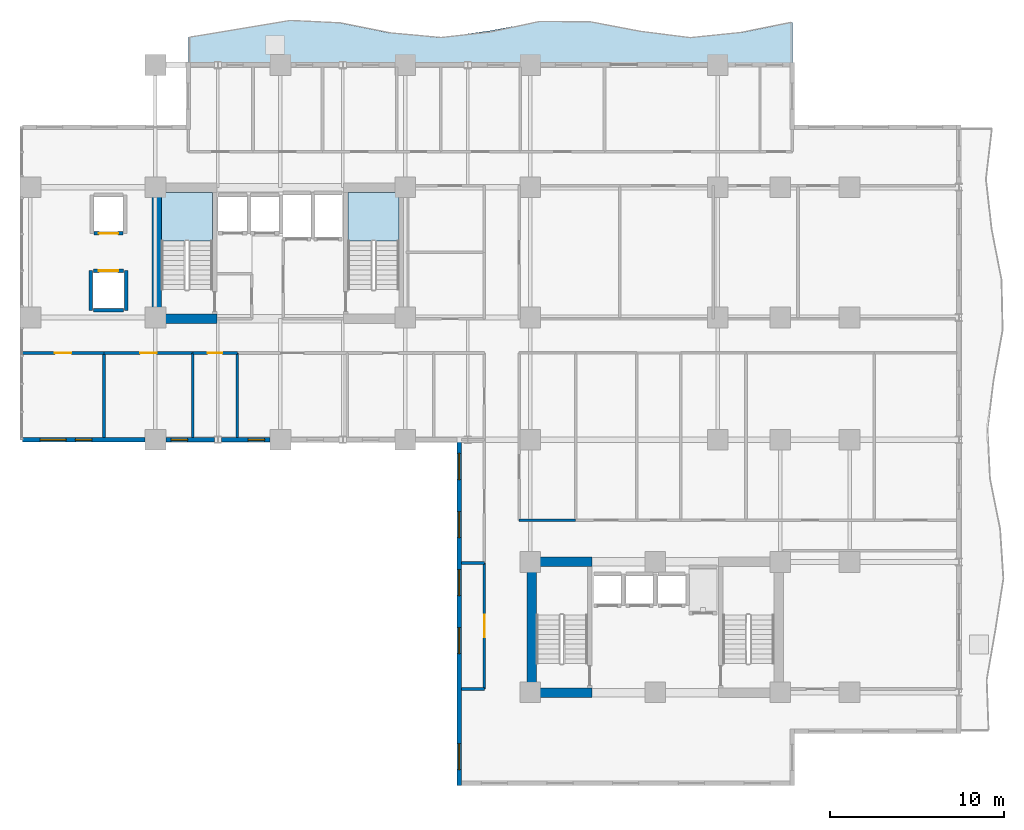
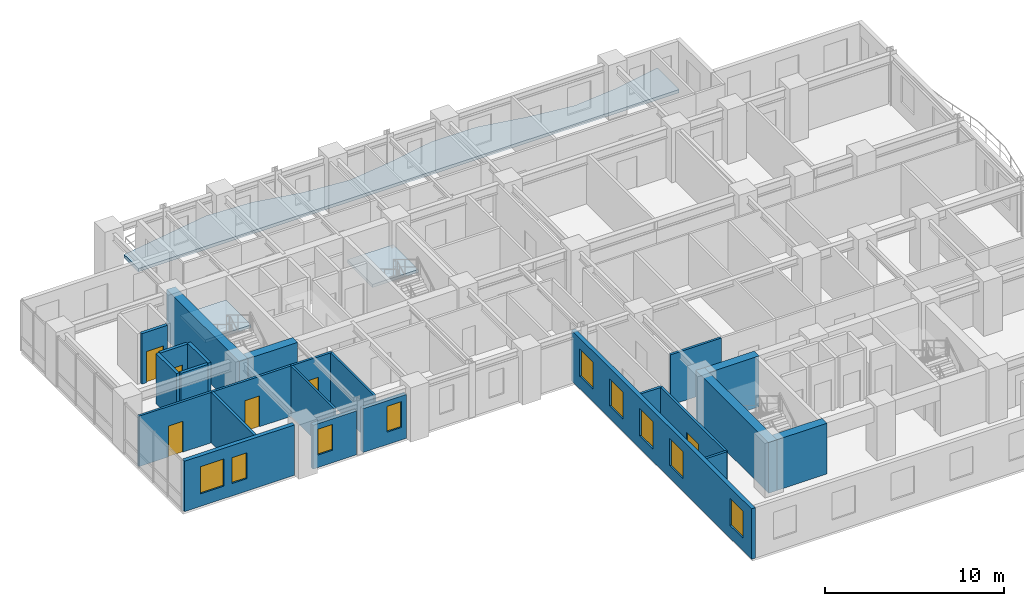
# One storey, part 8 of 18: 24 walls, 9 windows, 6 doors, 3 slabs, 15 openings, 2 elements without a shape of their own.
"""IFC4 building model written with IfcOpenShell, lengths in metres."""

from ifc_helpers import new_model, si_unit, direction, frame, frame_2d, origin, place, context, subcontext, project, spatial, polyline, rectangle, outline, extrude, material, layer, layer_set, type_object, element, fill, aggregate, save


model = new_model("IFC4")

# Units and contexts
model_context = context("Model", 3, precision=1e-05, world=origin(), true_north=direction((0.0, 1.0)))
body_context = subcontext(model_context, "Body", "Model", "MODEL_VIEW")
ifc_project = project(units=[si_unit("LENGTHUNIT", "METRE"), si_unit("AREAUNIT", "SQUARE_METRE"), si_unit("VOLUMEUNIT", "CUBIC_METRE"), si_unit("PLANEANGLEUNIT", "RADIAN"), si_unit("MASSUNIT", "GRAM", prefix="KILO")], contexts=[model_context])

# Site, building, storey
site_placement = place(None, origin())
site = spatial("IfcSite", under=ifc_project, at=site_placement, CompositionType="ELEMENT")
building_placement = place(site_placement, origin())
building = spatial("IfcBuilding", under=site, at=building_placement, Name="Kaliganga Portal Commons", CompositionType="ELEMENT")
storey_placement = place(building_placement, frame((0.0, 0.0, 123.0)))
storey = spatial("IfcBuildingStorey", under=building, at=storey_placement, Name="L31", CompositionType="ELEMENT", Elevation=123.0)

# Slab
ifc_material_1 = material(Name="Concrete C40/50", Category="concrete")
ifc_layer_1 = layer(ifc_material_1, 0.2099609375)
ifc_layer_set_1 = layer_set([ifc_layer_1], Name="Concrete C40/50")
slab_type_1 = type_object("IfcSlabType", Name="SLB-BALC-210", PredefinedType="FLOOR", material=ifc_layer_set_1)
slab_1_placement = place(storey_placement, frame((0.0, 0.0, -0.2099609375)))
element("IfcSlab", 1, at=slab_1_placement, inside=storey, type_object=slab_type_1, Name="Scalloped Tree-Planter Balcony Slab L31 balc_north", PredefinedType="FLOOR", context=body_context, shape_type="SweptSolid", body=[
    extrude(outline(polyline([(51.10009765625, 43.199951171875), (51.10009765625, 45.6484375), (48.199951171875, 45.06689453125), (45.300048828125, 44.76611328125), (42.39990234375, 45.137939453125), (39.5, 45.697998046875), (36.60009765625, 45.716552734375), (33.699951171875, 45.16943359375), (30.800048828125, 44.76953125), (27.89990234375, 45.03759765625), (25.0, 45.624755859375), (22.10009765625, 45.765625), (19.199951171875, 45.27685546875), (16.300048828125, 44.79541015625), (16.300048828125, 43.199951171875), (51.10009765625, 43.199951171875)])), origin(), (0.0, 0.0, 1.0), 0.2099609375),
])

# Stair, slab
stair_type = type_object("IfcStairType", Name="ST-CORE-DOGLEG", PredefinedType="HALF_TURN_STAIR", material=ifc_material_1)
stair_1_placement = place(storey_placement, origin())
stair_1 = element("IfcStair", 2, at=stair_1_placement, inside=storey, type_object=stair_type, Name="L31 Protected Exit Stair ST-A1", PredefinedType="HALF_TURN_STAIR")
ifc_layer_2 = layer(ifc_material_1, 0.199951171875)
ifc_layer_set_2 = layer_set([ifc_layer_2], Name="Concrete C40/50")
slab_type_2 = type_object("IfcSlabType", Name="SLB-STAIR-LND", PredefinedType="LANDING", material=ifc_layer_set_2)
slab_2_placement = place(storey_placement, frame((0.0, 0.0, 1.64990234375)))
slab_2 = element("IfcSlab", 3, at=slab_2_placement, type_object=slab_type_2, Name="ST-A1 landing 1", PredefinedType="LANDING", context=body_context, shape_type="SweptSolid", body=[
    extrude(outline(polyline([(17.699951171875, 33.050048828125), (17.699951171875, 35.85009765625), (14.75, 35.85009765625), (14.75, 33.050048828125), (17.699951171875, 33.050048828125)])), origin(), (0.0, 0.0, 1.0), 0.2001953125),
])
aggregate(stair_1, [slab_2])

stair_2_placement = place(storey_placement, origin())
stair_2 = element("IfcStair", 4, at=stair_2_placement, inside=storey, type_object=stair_type, Name="L31 Protected Exit Stair ST-A2", PredefinedType="HALF_TURN_STAIR")
slab_3_placement = place(storey_placement, frame((0.0, 0.0, 1.64990234375)))
slab_3 = element("IfcSlab", 5, at=slab_3_placement, type_object=slab_type_2, Name="ST-A2 landing 1", PredefinedType="LANDING", context=body_context, shape_type="SweptSolid", body=[
    extrude(outline(polyline([(28.449951171875, 33.050048828125), (28.449951171875, 35.85009765625), (25.5, 35.85009765625), (25.5, 33.050048828125), (28.449951171875, 33.050048828125)])), origin(), (0.0, 0.0, 1.0), 0.2001953125),
])
aggregate(stair_2, [slab_3])

# Walls
ifc_material_2 = material(Name="Concrete C60/75", Category="concrete")
ifc_layer_3 = layer(ifc_material_2, 0.550048828125)
ifc_layer_set_3 = layer_set([ifc_layer_3], Name="Concrete C60/75")
wall_type_1 = type_object("IfcWallType", Name="WL-CORE-550", PredefinedType="SHEAR", material=ifc_layer_set_3)
wall_1_placement = place(storey_placement, frame((14.47509765625, 28.300048828125, 0.0), z_axis=(0.0, 0.0, 1.0), x_axis=(0.0, 1.0, 0.0)))
element("IfcWall", 6, at=wall_1_placement, inside=storey, type_object=wall_type_1, Name="Core A West Shear Wall L31", PredefinedType="SHEAR", context=body_context, shape_type="SweptSolid", body=[
    extrude(rectangle(XDim=8.099853515625, YDim=0.550048828125, at=frame_2d((4.0498046875, 0.0))), origin(), (0.0, 0.0, 1.0), 3.449951171875),
])
wall_2_placement = place(storey_placement, frame((14.75, 28.574951171875, 0.0), z_axis=(0.0, 0.0, 1.0), x_axis=(1.0, 0.0, 0.0)))
element("IfcWall", 7, at=wall_2_placement, inside=storey, type_object=wall_type_1, Name="Core A S-West Shear Wall L31", PredefinedType="SHEAR", context=body_context, shape_type="SweptSolid", body=[
    extrude(rectangle(XDim=3.199951171875, YDim=0.550048828125, at=frame_2d((1.60009765625, 0.0))), origin(), (0.0, 0.0, 1.0), 3.449951171875),
])
wall_3_placement = place(storey_placement, frame((36.074951171875, 6.75, 0.0), z_axis=(0.0, 0.0, 1.0), x_axis=(0.0, 1.0, 0.0)))
element("IfcWall", 8, at=wall_3_placement, inside=storey, type_object=wall_type_1, Name="Core B West Shear Wall L31", PredefinedType="SHEAR", context=body_context, shape_type="SweptSolid", body=[
    extrude(rectangle(XDim=8.10009765625, YDim=0.550048828125, at=frame_2d((4.050048828125, 0.0))), origin(), (0.0, 0.0, 1.0), 3.449951171875),
])
for number, where, z_axis, x_axis, name in (
    (9, (36.35009765625, 7.02490234375, 0.0), (0.0, 0.0, 1.0), (1.0, 0.0, 0.0), "Core B S-West Shear Wall L31"),
    (10, (36.35009765625, 14.574951171875, 0.0), (0.0, 0.0, 1.0), (1.0, 0.0, 0.0), "Core B N-West Shear Wall L31"),
):
    element("IfcWall", number, at=place(storey_placement, frame(where, z_axis=z_axis, x_axis=x_axis)), inside=storey, type_object=wall_type_1, Name=name, PredefinedType="SHEAR", context=body_context, shape_type="SweptSolid", body=[
        extrude(rectangle(XDim=3.199951171875, YDim=0.550048828125, at=frame_2d((1.60009765625, 0.0))), origin(), (0.0, 0.0, 1.0), 3.449951171875),
    ])

# Wall, openings, windows
ifc_material_3 = material(Name="Insulated Aluminium-Clad Spandrel Assembly", Category="aluminium")
ifc_layer_4 = layer(ifc_material_3, 0.260009765625)
ifc_layer_set_4 = layer_set([ifc_layer_4], Name="Insulated Aluminium-Clad Spandrel Assembly")
wall_type_2 = type_object("IfcWallType", Name="WL-EXT-SPAND-260", PredefinedType="STANDARD", material=ifc_layer_set_4)
wall_4_placement = place(storey_placement, frame((13.799072265625, 21.60009765625, 0.0), z_axis=(0.0, 0.0, 1.0), x_axis=(-1.0, 0.0, 0.0)))
wall_4 = element("IfcWall", 11, at=wall_4_placement, inside=storey, type_object=wall_type_2, Name="Exterior Envelope Wall L31 P1-E10-S1", PredefinedType="STANDARD", context=body_context, shape_type="SweptSolid", body=[
    extrude(rectangle(XDim=7.06201171875, YDim=0.260009765625, at=frame_2d((3.531005859375, 0.0))), origin(), (0.0, 0.0, 1.0), 3.429931640625),
])
opening_1_placement = place(wall_4_placement, frame((4.54638671875, 0.0, 0.85009765625)))
opening_1 = element("IfcOpeningElement", 12, at=opening_1_placement, cuts=wall_4, Name="Opening W-02", PredefinedType="OPENING", context=body_context, shape_type="SweptSolid", body=[
    extrude(rectangle(XDim=1.5, YDim=1.85009765625, at=frame_2d((0.75, 0.925048828125))), frame((0.0, 0.14013671875, 0.0), z_axis=(0.0, -1.0, 0.0), x_axis=(1.0, 0.0, 0.0)), (0.0, 0.0, 1.0), 0.280029296875),
])
opening_2_placement = place(wall_4_placement, frame((3.055908203125, 0.0, 0.85009765625)))
opening_2 = element("IfcOpeningElement", 13, at=opening_2_placement, cuts=wall_4, Name="Opening W-04", PredefinedType="OPENING", context=body_context, shape_type="SweptSolid", body=[
    extrude(rectangle(XDim=0.949951171875, YDim=1.75, at=frame_2d((0.47509765625, 0.875))), frame((0.0, 0.14013671875, 0.0), z_axis=(0.0, -1.0, 0.0), x_axis=(1.0, 0.0, 0.0)), (0.0, 0.0, 1.0), 0.280029296875),
])
ifc_material_4 = material(Name="Thermally Broken Aluminium and Low-E Double Glazing", Category="aluminium")
window_type_1 = type_object("IfcWindowType", Name="WIN-NARROW-950", PartitioningType="SINGLE_PANEL", PredefinedType="WINDOW", material=ifc_material_4)
window_1_placement = place(opening_2_placement, origin())
window_1 = element("IfcWindow", 14, at=window_1_placement, inside=storey, type_object=window_type_1, Name="Facade Window L31-P1E10S1-N0", OverallHeight=1.75, OverallWidth=0.949951171875, PartitioningType="SINGLE_PANEL", PredefinedType="WINDOW", context=body_context, shape_type="SweptSolid", body=[
    extrude(rectangle(XDim=0.949951171875, YDim=1.75, at=frame_2d((0.47509765625, 0.875))), frame((0.0, 0.030029296875, 0.0), z_axis=(0.0, -1.0, 0.0), x_axis=(1.0, 0.0, 0.0)), (0.0, 0.0, 1.0), 0.06005859375),
])
fill(opening_2, window_1)
window_type_2 = type_object("IfcWindowType", Name="WIN-STD-1500", PartitioningType="DOUBLE_PANEL_VERTICAL", PredefinedType="WINDOW", material=ifc_material_4)
window_2_placement = place(opening_1_placement, origin())
window_2 = element("IfcWindow", 15, at=window_2_placement, inside=storey, type_object=window_type_2, Name="Facade Window L31-P1E10S1-01", OverallHeight=1.85009765625, OverallWidth=1.5, PartitioningType="SINGLE_PANEL", PredefinedType="WINDOW", context=body_context, shape_type="SweptSolid", body=[
    extrude(rectangle(XDim=1.5, YDim=1.85009765625, at=frame_2d((0.75, 0.925048828125))), frame((0.0, 0.030029296875, 0.0), z_axis=(0.0, -1.0, 0.0), x_axis=(1.0, 0.0, 0.0)), (0.0, 0.0, 1.0), 0.06005859375),
])
fill(opening_1, window_2)

# Wall, opening, window
wall_5_placement = place(storey_placement, frame((17.79443359375, 21.60009765625, 0.0), z_axis=(0.0, 0.0, 1.0), x_axis=(-1.0, 0.0, 0.0)))
wall_5 = element("IfcWall", 16, at=wall_5_placement, inside=storey, type_object=wall_type_2, Name="Exterior Envelope Wall L31 P1-E10-S2", PredefinedType="STANDARD", context=body_context, shape_type="SweptSolid", body=[
    extrude(rectangle(XDim=2.79345703125, YDim=0.260009765625, at=frame_2d((1.396728515625, 0.0))), origin(), (0.0, 0.0, 1.0), 2.97998046875),
])
opening_3_placement = place(wall_5_placement, frame((1.536376953125, 0.0, 0.85009765625)))
opening_3 = element("IfcOpeningElement", 17, at=opening_3_placement, cuts=wall_5, Name="Opening W-04", PredefinedType="OPENING", context=body_context, shape_type="SweptSolid", body=[
    extrude(rectangle(XDim=0.949951171875, YDim=1.75, at=frame_2d((0.47509765625, 0.875))), frame((0.0, 0.14013671875, 0.0), z_axis=(0.0, -1.0, 0.0), x_axis=(1.0, 0.0, 0.0)), (0.0, 0.0, 1.0), 0.280029296875),
])
window_3_placement = place(opening_3_placement, origin())
window_3 = element("IfcWindow", 18, at=window_3_placement, inside=storey, type_object=window_type_1, Name="Facade Window L31-P1E10S2-N4", OverallHeight=1.75, OverallWidth=0.949951171875, PartitioningType="SINGLE_PANEL", PredefinedType="WINDOW", context=body_context, shape_type="SweptSolid", body=[
    extrude(rectangle(XDim=0.949951171875, YDim=1.75, at=frame_2d((0.47509765625, 0.875))), frame((0.0, 0.030029296875, 0.0), z_axis=(0.0, -1.0, 0.0), x_axis=(1.0, 0.0, 0.0)), (0.0, 0.0, 1.0), 0.06005859375),
])
fill(opening_3, window_3)

wall_6_placement = place(storey_placement, frame((20.9990234375, 21.60009765625, 0.0), z_axis=(0.0, 0.0, 1.0), x_axis=(-1.0, 0.0, 0.0)))
wall_6 = element("IfcWall", 19, at=wall_6_placement, inside=storey, type_object=wall_type_2, Name="Exterior Envelope Wall L31 P1-E10-S3", PredefinedType="STANDARD", context=body_context, shape_type="SweptSolid", body=[
    extrude(rectangle(XDim=2.79345703125, YDim=0.260009765625, at=frame_2d((1.396728515625, 0.0))), origin(), (0.0, 0.0, 1.0), 2.97998046875),
])
opening_4_placement = place(wall_6_placement, frame((0.30712890625, 0.0, 0.85009765625)))
opening_4 = element("IfcOpeningElement", 20, at=opening_4_placement, cuts=wall_6, Name="Opening W-04", PredefinedType="OPENING", context=body_context, shape_type="SweptSolid", body=[
    extrude(rectangle(XDim=0.949951171875, YDim=1.75, at=frame_2d((0.47509765625, 0.875))), frame((0.0, 0.14013671875, 0.0), z_axis=(0.0, -1.0, 0.0), x_axis=(1.0, 0.0, 0.0)), (0.0, 0.0, 1.0), 0.280029296875),
])
window_4_placement = place(opening_4_placement, origin())
window_4 = element("IfcWindow", 21, at=window_4_placement, inside=storey, type_object=window_type_1, Name="Facade Window L31-P1E10S3-N3", OverallHeight=1.75, OverallWidth=0.949951171875, PartitioningType="SINGLE_PANEL", PredefinedType="WINDOW", context=body_context, shape_type="SweptSolid", body=[
    extrude(rectangle(XDim=0.949951171875, YDim=1.75, at=frame_2d((0.47509765625, 0.875))), frame((0.0, 0.030029296875, 0.0), z_axis=(0.0, -1.0, 0.0), x_axis=(1.0, 0.0, 0.0)), (0.0, 0.0, 1.0), 0.06005859375),
])
fill(opening_4, window_4)

# Wall, openings, windows
wall_7_placement = place(storey_placement, frame((31.89990234375, 1.669921875, 0.0), z_axis=(0.0, 0.0, 1.0), x_axis=(0.0, 1.0, 0.0)))
wall_7 = element("IfcWall", 22, at=wall_7_placement, inside=storey, type_object=wall_type_2, Name="Exterior Envelope Wall L31 P1-E11-S1", PredefinedType="STANDARD", context=body_context, shape_type="SweptSolid", body=[
    extrude(rectangle(XDim=20.06005859375, YDim=0.260009765625, at=frame_2d((10.030029296875, 0.0))), origin(), (0.0, 0.0, 1.0), 3.429931640625),
])
opening_5_placement = place(wall_7_placement, frame((0.921630859375, 0.0, 0.85009765625)))
opening_5 = element("IfcOpeningElement", 23, at=opening_5_placement, cuts=wall_7, Name="Opening W-02", PredefinedType="OPENING", context=body_context, shape_type="SweptSolid", body=[
    extrude(rectangle(XDim=1.5, YDim=1.85009765625, at=frame_2d((0.75, 0.925048828125))), frame((0.0, 0.14013671875, 0.0), z_axis=(0.0, -1.0, 0.0), x_axis=(1.0, 0.0, 0.0)), (0.0, 0.0, 1.0), 0.280029296875),
])
opening_6_placement = place(wall_7_placement, frame((7.6083984375, 0.0, 0.85009765625)))
opening_6 = element("IfcOpeningElement", 24, at=opening_6_placement, cuts=wall_7, Name="Opening W-02", PredefinedType="OPENING", context=body_context, shape_type="SweptSolid", body=[
    extrude(rectangle(XDim=1.5, YDim=1.85009765625, at=frame_2d((0.75, 0.925048828125))), frame((0.0, 0.14013671875, 0.0), z_axis=(0.0, -1.0, 0.0), x_axis=(1.0, 0.0, 0.0)), (0.0, 0.0, 1.0), 0.280029296875),
])
opening_7_placement = place(wall_7_placement, frame((10.95166015625, 0.0, 0.85009765625)))
opening_7 = element("IfcOpeningElement", 25, at=opening_7_placement, cuts=wall_7, Name="Opening W-02", PredefinedType="OPENING", context=body_context, shape_type="SweptSolid", body=[
    extrude(rectangle(XDim=1.5, YDim=1.85009765625, at=frame_2d((0.75, 0.925048828125))), frame((0.0, 0.14013671875, 0.0), z_axis=(0.0, -1.0, 0.0), x_axis=(1.0, 0.0, 0.0)), (0.0, 0.0, 1.0), 0.280029296875),
])
opening_8_placement = place(wall_7_placement, frame((14.294921875, 0.0, 0.85009765625)))
opening_8 = element("IfcOpeningElement", 26, at=opening_8_placement, cuts=wall_7, Name="Opening W-02", PredefinedType="OPENING", context=body_context, shape_type="SweptSolid", body=[
    extrude(rectangle(XDim=1.5, YDim=1.85009765625, at=frame_2d((0.75, 0.925048828125))), frame((0.0, 0.14013671875, 0.0), z_axis=(0.0, -1.0, 0.0), x_axis=(1.0, 0.0, 0.0)), (0.0, 0.0, 1.0), 0.280029296875),
])
opening_9_placement = place(wall_7_placement, frame((17.63818359375, 0.0, 0.85009765625)))
opening_9 = element("IfcOpeningElement", 27, at=opening_9_placement, cuts=wall_7, Name="Opening W-02", PredefinedType="OPENING", context=body_context, shape_type="SweptSolid", body=[
    extrude(rectangle(XDim=1.5, YDim=1.85009765625, at=frame_2d((0.75, 0.925048828125))), frame((0.0, 0.14013671875, 0.0), z_axis=(0.0, -1.0, 0.0), x_axis=(1.0, 0.0, 0.0)), (0.0, 0.0, 1.0), 0.280029296875),
])
window_5_placement = place(opening_5_placement, origin())
window_5 = element("IfcWindow", 28, at=window_5_placement, inside=storey, type_object=window_type_2, Name="Facade Window L31-P1E11S1-00", OverallHeight=1.85009765625, OverallWidth=1.5, PartitioningType="SINGLE_PANEL", PredefinedType="WINDOW", context=body_context, shape_type="SweptSolid", body=[
    extrude(rectangle(XDim=1.5, YDim=1.85009765625, at=frame_2d((0.75, 0.925048828125))), frame((0.0, 0.030029296875, 0.0), z_axis=(0.0, -1.0, 0.0), x_axis=(1.0, 0.0, 0.0)), (0.0, 0.0, 1.0), 0.06005859375),
])
fill(opening_5, window_5)
window_6_placement = place(opening_6_placement, origin())
window_6 = element("IfcWindow", 29, at=window_6_placement, inside=storey, type_object=window_type_2, Name="Facade Window L31-P1E11S1-02", OverallHeight=1.85009765625, OverallWidth=1.5, PartitioningType="SINGLE_PANEL", PredefinedType="WINDOW", context=body_context, shape_type="SweptSolid", body=[
    extrude(rectangle(XDim=1.5, YDim=1.85009765625, at=frame_2d((0.75, 0.925048828125))), frame((0.0, 0.030029296875, 0.0), z_axis=(0.0, -1.0, 0.0), x_axis=(1.0, 0.0, 0.0)), (0.0, 0.0, 1.0), 0.06005859375),
])
fill(opening_6, window_6)
window_7_placement = place(opening_7_placement, origin())
window_7 = element("IfcWindow", 30, at=window_7_placement, inside=storey, type_object=window_type_2, Name="Facade Window L31-P1E11S1-03", OverallHeight=1.85009765625, OverallWidth=1.5, PartitioningType="SINGLE_PANEL", PredefinedType="WINDOW", context=body_context, shape_type="SweptSolid", body=[
    extrude(rectangle(XDim=1.5, YDim=1.85009765625, at=frame_2d((0.75, 0.925048828125))), frame((0.0, 0.030029296875, 0.0), z_axis=(0.0, -1.0, 0.0), x_axis=(1.0, 0.0, 0.0)), (0.0, 0.0, 1.0), 0.06005859375),
])
fill(opening_7, window_7)
window_8_placement = place(opening_8_placement, origin())
window_8 = element("IfcWindow", 31, at=window_8_placement, inside=storey, type_object=window_type_2, Name="Facade Window L31-P1E11S1-04", OverallHeight=1.85009765625, OverallWidth=1.5, PartitioningType="SINGLE_PANEL", PredefinedType="WINDOW", context=body_context, shape_type="SweptSolid", body=[
    extrude(rectangle(XDim=1.5, YDim=1.85009765625, at=frame_2d((0.75, 0.925048828125))), frame((0.0, 0.030029296875, 0.0), z_axis=(0.0, -1.0, 0.0), x_axis=(1.0, 0.0, 0.0)), (0.0, 0.0, 1.0), 0.06005859375),
])
fill(opening_8, window_8)
window_9_placement = place(opening_9_placement, origin())
window_9 = element("IfcWindow", 32, at=window_9_placement, inside=storey, type_object=window_type_2, Name="Facade Window L31-P1E11S1-05", OverallHeight=1.85009765625, OverallWidth=1.5, PartitioningType="SINGLE_PANEL", PredefinedType="WINDOW", context=body_context, shape_type="SweptSolid", body=[
    extrude(rectangle(XDim=1.5, YDim=1.85009765625, at=frame_2d((0.75, 0.925048828125))), frame((0.0, 0.030029296875, 0.0), z_axis=(0.0, -1.0, 0.0), x_axis=(1.0, 0.0, 0.0)), (0.0, 0.0, 1.0), 0.06005859375),
])
fill(opening_9, window_9)

# Wall, opening, door
ifc_material_5 = material(Name="Fire-Rated Gypsum Board on Steel Stud", Category="steel")
ifc_layer_5 = layer(ifc_material_5, 0.14990234375)
ifc_layer_set_5 = layer_set([ifc_layer_5], Name="Fire-Rated Gypsum Board on Steel Stud")
wall_type_3 = type_object("IfcWallType", Name="WL-PART-CORR-150", PredefinedType="PARTITIONING", material=ifc_layer_set_5)
wall_8_placement = place(storey_placement, frame((33.360107421875, 7.239990234375, 0.0), z_axis=(0.0, 0.0, 1.0), x_axis=(0.0, 1.0, 0.0)))
wall_8 = element("IfcWall", 33, at=wall_8_placement, inside=storey, type_object=wall_type_3, Name="Interior Partition L31-010", PredefinedType="PARTITIONING", context=body_context, shape_type="SweptSolid", body=[
    extrude(rectangle(XDim=7.260009765625, YDim=0.14990234375, at=frame_2d((3.6298828125, 0.0))), origin(), (0.0, 0.0, 1.0), 3.429931640625),
])
opening_10_placement = place(wall_8_placement, frame((2.97998046875, 0.0, 0.0)))
opening_10 = element("IfcOpeningElement", 34, at=opening_10_placement, cuts=wall_8, Name="Opening RD-03", PredefinedType="OPENING", context=body_context, shape_type="SweptSolid", body=[
    extrude(rectangle(XDim=1.300048828125, YDim=2.1201171875, at=frame_2d((0.64990234375, 1.06005859375))), frame((0.0, 0.0849609375, 0.0), z_axis=(0.0, -1.0, 0.0), x_axis=(1.0, 0.0, 0.0)), (0.0, 0.0, 1.0), 0.169921875),
])
ifc_material_6 = material(Name="Glazed Timber Seminar Vision Door", Category="wood")
door_type_1 = type_object("IfcDoorType", Name="DR-STUDY-1300", OperationType="DOUBLE_DOOR_SINGLE_SWING", PredefinedType="DOOR", material=ifc_material_6)
door_1_placement = place(opening_10_placement, origin())
door_1 = element("IfcDoor", 35, at=door_1_placement, inside=storey, type_object=door_type_1, Name="Interior Door L31-KW01", OperationType="DOUBLE_DOOR_SINGLE_SWING", OverallHeight=2.1201171875, OverallWidth=1.300048828125, PredefinedType="DOOR", context=body_context, shape_type="SweptSolid", body=[
    extrude(rectangle(XDim=1.300048828125, YDim=2.1201171875, at=frame_2d((0.64990234375, 1.06005859375))), frame((0.0, 0.02490234375, 0.0), z_axis=(0.0, -1.0, 0.0), x_axis=(1.0, 0.0, 0.0)), (0.0, 0.0, 1.0), 0.050048828125),
])
fill(opening_10, door_1)

wall_9_placement = place(storey_placement, frame((11.43994140625, 26.60009765625, 0.0), z_axis=(0.0, 0.0, 1.0), x_axis=(1.0, 0.0, 0.0)))
wall_9 = element("IfcWall", 36, at=wall_9_placement, inside=storey, type_object=wall_type_3, Name="Interior Partition L31-015", PredefinedType="PARTITIONING", context=body_context, shape_type="SweptSolid", body=[
    extrude(rectangle(XDim=5.1201171875, YDim=0.14990234375, at=frame_2d((2.56005859375, 0.0))), origin(), (0.0, 0.0, 1.0), 3.429931640625),
])
opening_11_placement = place(wall_9_placement, frame((2.0849609375, 0.0, 0.0)))
opening_11 = element("IfcOpeningElement", 37, at=opening_11_placement, cuts=wall_9, Name="Opening UD-01", PredefinedType="OPENING", context=body_context, shape_type="SweptSolid", body=[
    extrude(rectangle(XDim=0.949951171875, YDim=2.10009765625, at=frame_2d((0.47509765625, 1.050048828125))), frame((0.0, 0.0849609375, 0.0), z_axis=(0.0, -1.0, 0.0), x_axis=(1.0, 0.0, 0.0)), (0.0, 0.0, 1.0), 0.169921875),
])
ifc_material_7 = material(Name="Solid-Core Timber Acoustic Fire Door", Category="wood")
door_type_2 = type_object("IfcDoorType", Name="DR-UNIT-950", OperationType="NOTDEFINED", PredefinedType="DOOR", material=ifc_material_7)
door_2_placement = place(opening_11_placement, origin())
door_2 = element("IfcDoor", 38, at=door_2_placement, inside=storey, type_object=door_type_2, Name="Interior Door L31-AS02", OperationType="SINGLE_SWING_LEFT", OverallHeight=2.10009765625, OverallWidth=0.949951171875, PredefinedType="DOOR", context=body_context, shape_type="SweptSolid", body=[
    extrude(rectangle(XDim=0.949951171875, YDim=2.10009765625, at=frame_2d((0.47509765625, 1.050048828125))), frame((0.0, 0.02490234375, 0.0), z_axis=(0.0, -1.0, 0.0), x_axis=(1.0, 0.0, 0.0)), (0.0, 0.0, 1.0), 0.050048828125),
])
fill(opening_11, door_2)

wall_10_placement = place(storey_placement, frame((6.719970703125, 26.60009765625, 0.0), z_axis=(0.0, 0.0, 1.0), x_axis=(1.0, 0.0, 0.0)))
wall_10 = element("IfcWall", 39, at=wall_10_placement, inside=storey, type_object=wall_type_3, Name="Interior Partition L31-022", PredefinedType="PARTITIONING", context=body_context, shape_type="SweptSolid", body=[
    extrude(rectangle(XDim=4.719970703125, YDim=0.14990234375, at=frame_2d((2.35986328125, 0.0))), origin(), (0.0, 0.0, 1.0), 3.429931640625),
])
opening_12_placement = place(wall_10_placement, frame((1.885009765625, 0.0, 0.0)))
opening_12 = element("IfcOpeningElement", 40, at=opening_12_placement, cuts=wall_10, Name="Opening UD-01", PredefinedType="OPENING", context=body_context, shape_type="SweptSolid", body=[
    extrude(rectangle(XDim=0.949951171875, YDim=2.10009765625, at=frame_2d((0.47509765625, 1.050048828125))), frame((0.0, 0.0849609375, 0.0), z_axis=(0.0, -1.0, 0.0), x_axis=(1.0, 0.0, 0.0)), (0.0, 0.0, 1.0), 0.169921875),
])
door_3_placement = place(opening_12_placement, origin())
door_3 = element("IfcDoor", 41, at=door_3_placement, inside=storey, type_object=door_type_2, Name="Interior Door L31-AS01", OperationType="SINGLE_SWING_LEFT", OverallHeight=2.10009765625, OverallWidth=0.949951171875, PredefinedType="DOOR", context=body_context, shape_type="SweptSolid", body=[
    extrude(rectangle(XDim=0.949951171875, YDim=2.10009765625, at=frame_2d((0.47509765625, 1.050048828125))), frame((0.0, 0.02490234375, 0.0), z_axis=(0.0, -1.0, 0.0), x_axis=(1.0, 0.0, 0.0)), (0.0, 0.0, 1.0), 0.050048828125),
])
fill(opening_12, door_3)

# Wall
wall_11_placement = place(storey_placement, frame((35.360107421875, 16.9599609375, 0.0), z_axis=(0.0, 0.0, 1.0), x_axis=(1.0, 0.0, 0.0)))
element("IfcWall", 42, at=wall_11_placement, inside=storey, type_object=wall_type_3, Name="Interior Partition L31-033", PredefinedType="PARTITIONING", context=body_context, shape_type="SweptSolid", body=[
    extrude(rectangle(XDim=3.260009765625, YDim=0.14990234375, at=frame_2d((1.6298828125, 0.0))), origin(), (0.0, 0.0, 1.0), 3.429931640625),
])

# Wall, opening, door
wall_12_placement = place(storey_placement, frame((16.56005859375, 26.60009765625, 0.0), z_axis=(0.0, 0.0, 1.0), x_axis=(1.0, 0.0, 0.0)))
wall_12 = element("IfcWall", 43, at=wall_12_placement, inside=storey, type_object=wall_type_3, Name="Interior Partition L31-036", PredefinedType="PARTITIONING", context=body_context, shape_type="SweptSolid", body=[
    extrude(rectangle(XDim=2.56005859375, YDim=0.14990234375, at=frame_2d((1.280029296875, 0.0))), origin(), (0.0, 0.0, 1.0), 3.429931640625),
])
opening_13_placement = place(wall_12_placement, frame((0.85498046875, 0.0, 0.0)))
opening_13 = element("IfcOpeningElement", 44, at=opening_13_placement, cuts=wall_12, Name="Opening WD-01", PredefinedType="OPENING", context=body_context, shape_type="SweptSolid", body=[
    extrude(rectangle(XDim=0.85009765625, YDim=2.0400390625, at=frame_2d((0.425048828125, 1.02001953125))), frame((0.0, 0.0849609375, 0.0), z_axis=(0.0, -1.0, 0.0), x_axis=(1.0, 0.0, 0.0)), (0.0, 0.0, 1.0), 0.169921875),
])
ifc_material_8 = material(Name="Moisture-Resistant Laminate Timber Door", Category="wood")
door_type_3 = type_object("IfcDoorType", Name="DR-WET-850", OperationType="NOTDEFINED", PredefinedType="DOOR", material=ifc_material_8)
door_4_placement = place(opening_13_placement, origin())
door_4 = element("IfcDoor", 45, at=door_4_placement, inside=storey, type_object=door_type_3, Name="Interior Door L31-AS03", OperationType="SINGLE_SWING_LEFT", OverallHeight=2.0400390625, OverallWidth=0.85009765625, PredefinedType="DOOR", context=body_context, shape_type="SweptSolid", body=[
    extrude(rectangle(XDim=0.85009765625, YDim=2.0400390625, at=frame_2d((0.425048828125, 1.02001953125))), frame((0.0, 0.02490234375, 0.0), z_axis=(0.0, -1.0, 0.0), x_axis=(1.0, 0.0, 0.0)), (0.0, 0.0, 1.0), 0.050048828125),
])
fill(opening_13, door_4)

# Walls
wall_13_placement = place(storey_placement, frame((32.031982421875, 7.239990234375, 0.0), z_axis=(0.0, 0.0, 1.0), x_axis=(1.0, 0.0, 0.0)))
element("IfcWall", 46, at=wall_13_placement, inside=storey, type_object=wall_type_3, Name="Interior Partition L31-042", PredefinedType="PARTITIONING", context=body_context, shape_type="SweptSolid", body=[
    extrude(rectangle(XDim=1.328125, YDim=0.14990234375, at=frame_2d((0.6640625, 0.0))), origin(), (0.0, 0.0, 1.0), 3.429931640625),
])
ifc_material_9 = material(Name="Twin-Stud Acoustic Gypsum Partition", Category="gypsum")
ifc_layer_6 = layer(ifc_material_9, 0.1650390625)
ifc_layer_set_6 = layer_set([ifc_layer_6], Name="Twin-Stud Acoustic Gypsum Partition")
wall_type_4 = type_object("IfcWallType", Name="WL-PART-UNIT-165", PredefinedType="PARTITIONING", material=ifc_layer_set_6)
wall_14_placement = place(storey_placement, frame((11.43994140625, 21.73193359375, 0.0), z_axis=(0.0, 0.0, 1.0), x_axis=(0.0, 1.0, 0.0)))
element("IfcWall", 47, at=wall_14_placement, inside=storey, type_object=wall_type_4, Name="Interior Partition L31-056", PredefinedType="PARTITIONING", context=body_context, shape_type="SweptSolid", body=[
    extrude(rectangle(XDim=4.8681640625, YDim=0.1650390625, at=frame_2d((2.43408203125, 0.0))), origin(), (0.0, 0.0, 1.0), 3.429931640625),
])
wall_15_placement = place(storey_placement, frame((32.031982421875, 14.5, 0.0), z_axis=(0.0, 0.0, 1.0), x_axis=(1.0, 0.0, 0.0)))
element("IfcWall", 48, at=wall_15_placement, inside=storey, type_object=wall_type_4, Name="Interior Partition L31-080", PredefinedType="PARTITIONING", context=body_context, shape_type="SweptSolid", body=[
    extrude(rectangle(XDim=1.328125, YDim=0.1650390625, at=frame_2d((0.6640625, 0.0))), origin(), (0.0, 0.0, 1.0), 3.429931640625),
])
ifc_material_10 = material(Name="Cement-Board Wet-Room Partition", Category="gypsum")
ifc_layer_7 = layer(ifc_material_10, 0.135009765625)
ifc_layer_set_7 = layer_set([ifc_layer_7], Name="Cement-Board Wet-Room Partition")
wall_type_5 = type_object("IfcWallType", Name="WL-PART-WET-135", PredefinedType="PARTITIONING", material=ifc_layer_set_7)
for number, where, z_axis, x_axis, name in (
    (49, (16.56005859375, 21.73193359375, 0.0), (0.0, 0.0, 1.0), (0.0, 1.0, 0.0), "Interior Partition L31-058"),
    (50, (19.1201171875, 21.73193359375, 0.0), (0.0, 0.0, 1.0), (0.0, 1.0, 0.0), "Interior Partition L31-059"),
):
    element("IfcWall", number, at=place(storey_placement, frame(where, z_axis=z_axis, x_axis=x_axis)), inside=storey, type_object=wall_type_5, Name=name, PredefinedType="PARTITIONING", context=body_context, shape_type="SweptSolid", body=[
        extrude(rectangle(XDim=4.8681640625, YDim=0.135009765625, at=frame_2d((2.43408203125, 0.0))), origin(), (0.0, 0.0, 1.0), 3.429931640625),
    ])
ifc_material_11 = material(Name="Fire-Rated Shaftwall Masonry Assembly", Category="masonry")
ifc_layer_8 = layer(ifc_material_11, 0.199951171875)
ifc_layer_set_8 = layer_set([ifc_layer_8], Name="Fire-Rated Shaftwall Masonry Assembly")
wall_type_6 = type_object("IfcWallType", Name="WL-SHAFT-200", PredefinedType="PARTITIONING", material=ifc_layer_set_8)
wall_16_placement = place(storey_placement, frame((10.824951171875, 29.06005859375, 0.0), z_axis=(0.0, 0.0, 1.0), x_axis=(1.0, 0.0, 0.0)))
element("IfcWall", 51, at=wall_16_placement, inside=storey, type_object=wall_type_6, Name="Lift SH-1 Hoistway Shaft Wall L31-S", PredefinedType="PARTITIONING", context=body_context, shape_type="SweptSolid", body=[
    extrude(rectangle(XDim=1.75, YDim=0.199951171875, at=frame_2d((0.875, 0.0))), origin(), (0.0, 0.0, 1.0), 3.429931640625),
])

# Wall, opening, door
wall_17_placement = place(storey_placement, frame((10.824951171875, 31.340087890625, 0.0), z_axis=(0.0, 0.0, 1.0), x_axis=(1.0, 0.0, 0.0)))
wall_17 = element("IfcWall", 52, at=wall_17_placement, inside=storey, type_object=wall_type_6, Name="Lift SH-1 Hoistway Shaft Wall L31-N", PredefinedType="PARTITIONING", context=body_context, shape_type="SweptSolid", body=[
    extrude(rectangle(XDim=1.75, YDim=0.199951171875, at=frame_2d((0.875, 0.0))), origin(), (0.0, 0.0, 1.0), 3.429931640625),
])
opening_14_placement = place(wall_17_placement, frame((0.324951171875, 0.0, 0.0)))
opening_14 = element("IfcOpeningElement", 53, at=opening_14_placement, cuts=wall_17, Name="Opening LD-01", PredefinedType="OPENING", context=body_context, shape_type="SweptSolid", body=[
    extrude(rectangle(XDim=1.10009765625, YDim=2.1201171875, at=frame_2d((0.550048828125, 1.06005859375))), frame((0.0, 0.10986328125, 0.0), z_axis=(0.0, -1.0, 0.0), x_axis=(1.0, 0.0, 0.0)), (0.0, 0.0, 1.0), 0.219970703125),
])
ifc_material_12 = material(Name="Brushed Stainless Steel 316 Lift Landing Door", Category="steel")
door_type_4 = type_object("IfcDoorType", Name="DR-LIFT-1100", OperationType="SLIDING_TO_LEFT", PredefinedType="DOOR", material=ifc_material_12)
door_5_placement = place(opening_14_placement, origin())
door_5 = element("IfcDoor", 54, at=door_5_placement, inside=storey, type_object=door_type_4, Name="Lift SH-1 Sliding Landing Door L31", OperationType="SLIDING_TO_LEFT", OverallHeight=2.1201171875, OverallWidth=1.10009765625, PredefinedType="DOOR", context=body_context, shape_type="SweptSolid", body=[
    extrude(rectangle(XDim=1.10009765625, YDim=2.1201171875, at=frame_2d((0.550048828125, 1.06005859375))), frame((0.0, 0.02490234375, 0.0), z_axis=(0.0, -1.0, 0.0), x_axis=(1.0, 0.0, 0.0)), (0.0, 0.0, 1.0), 0.050048828125),
])
fill(opening_14, door_5)

# Walls
for number, where, z_axis, x_axis, name in (
    (55, (10.68505859375, 29.06005859375, 0.0), (0.0, 0.0, 1.0), (0.0, 1.0, 0.0), "Lift SH-1 Hoistway Shaft Wall L31-W"),
    (56, (12.715087890625, 29.06005859375, 0.0), (0.0, 0.0, 1.0), (0.0, 1.0, 0.0), "Lift SH-1 Hoistway Shaft Wall L31-E"),
):
    element("IfcWall", number, at=place(storey_placement, frame(where, z_axis=z_axis, x_axis=x_axis)), inside=storey, type_object=wall_type_6, Name=name, PredefinedType="PARTITIONING", context=body_context, shape_type="SweptSolid", body=[
        extrude(rectangle(XDim=2.280029296875, YDim=0.199951171875, at=frame_2d((1.14013671875, 0.0))), origin(), (0.0, 0.0, 1.0), 3.429931640625),
    ])

# Wall, opening, door
wall_18_placement = place(storey_placement, frame((10.875, 33.485107421875, 0.0), z_axis=(0.0, 0.0, 1.0), x_axis=(1.0, 0.0, 0.0)))
wall_18 = element("IfcWall", 57, at=wall_18_placement, inside=storey, type_object=wall_type_6, Name="Lift PL-OBS Hoistway Shaft Wall L31-S", PredefinedType="PARTITIONING", context=body_context, shape_type="SweptSolid", body=[
    extrude(rectangle(XDim=1.64990234375, YDim=0.199951171875, at=frame_2d((0.824951171875, 0.0))), origin(), (0.0, 0.0, 1.0), 3.429931640625),
])
opening_15_placement = place(wall_18_placement, frame((0.27490234375, 0.0, 0.0)))
opening_15 = element("IfcOpeningElement", 58, at=opening_15_placement, cuts=wall_18, Name="Opening LD-01", PredefinedType="OPENING", context=body_context, shape_type="SweptSolid", body=[
    extrude(rectangle(XDim=1.10009765625, YDim=2.1201171875, at=frame_2d((0.550048828125, 1.06005859375))), frame((0.0, 0.10986328125, 0.0), z_axis=(0.0, -1.0, 0.0), x_axis=(1.0, 0.0, 0.0)), (0.0, 0.0, 1.0), 0.219970703125),
])
door_6_placement = place(opening_15_placement, origin())
door_6 = element("IfcDoor", 59, at=door_6_placement, inside=storey, type_object=door_type_4, Name="Lift PL-OBS Sliding Landing Door L31", OperationType="SLIDING_TO_LEFT", OverallHeight=2.1201171875, OverallWidth=1.10009765625, PredefinedType="DOOR", context=body_context, shape_type="SweptSolid", body=[
    extrude(rectangle(XDim=1.10009765625, YDim=2.1201171875, at=frame_2d((0.550048828125, 1.06005859375))), frame((0.0, 0.02490234375, 0.0), z_axis=(0.0, -1.0, 0.0), x_axis=(1.0, 0.0, 0.0)), (0.0, 0.0, 1.0), 0.050048828125),
])
fill(opening_15, door_6)

save(model, "model.ifc")
